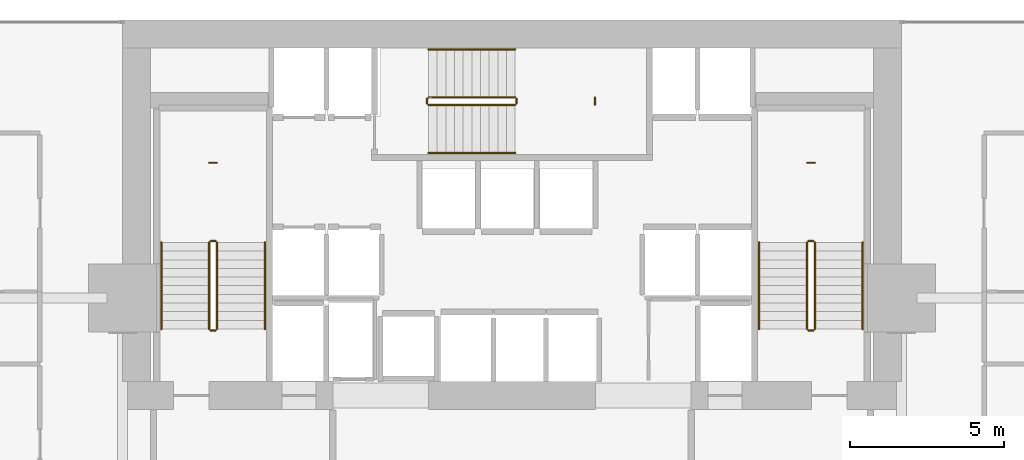
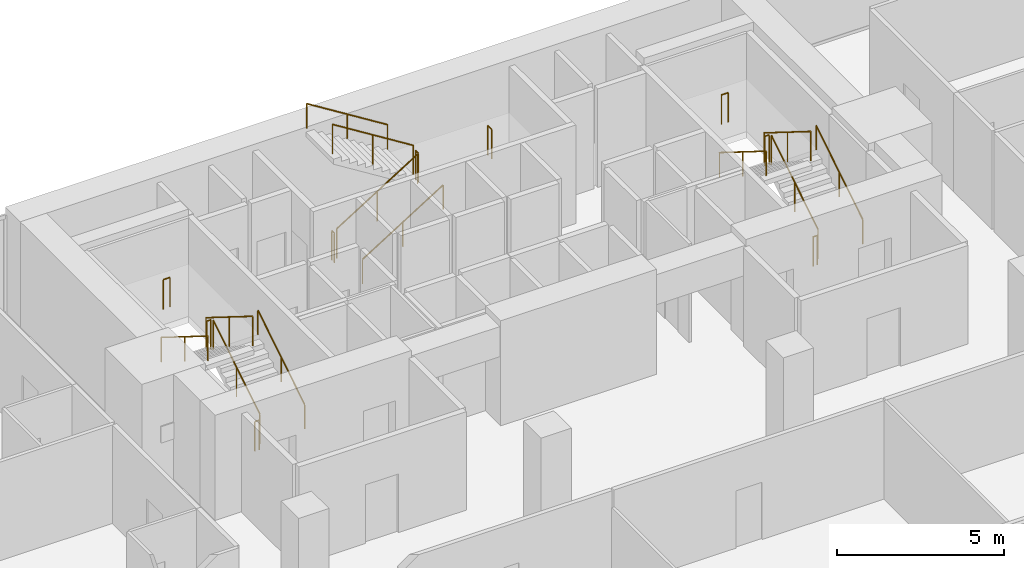
# One storey, part 40 of 40: 21 railings.
"""IFC4 building model written with IfcOpenShell, lengths in metres."""

from ifc_helpers import new_model, si_unit, direction, frame, origin, origin_2d, place, context, subcontext, project, spatial, circle, extrude, material, type_object, element, save


model = new_model("IFC4")

# Units and contexts
model_context = context("Model", 3, precision=1e-05, world=origin(), true_north=direction((0.0, 1.0)))
body_context = subcontext(model_context, "Body", "Model", "MODEL_VIEW")
ifc_project = project(units=[si_unit("LENGTHUNIT", "METRE"), si_unit("AREAUNIT", "SQUARE_METRE"), si_unit("VOLUMEUNIT", "CUBIC_METRE"), si_unit("PLANEANGLEUNIT", "RADIAN"), si_unit("MASSUNIT", "GRAM", prefix="KILO")], contexts=[model_context])

# Site, building, storey
site_placement = place(None, origin())
site = spatial("IfcSite", under=ifc_project, at=site_placement, CompositionType="ELEMENT")
building_placement = place(site_placement, origin())
building = spatial("IfcBuilding", under=site, at=building_placement, Name="Maruvema Waterfront Hotel and Observation Tower", CompositionType="ELEMENT")
storey_placement = place(building_placement, frame((0.0, 0.0, 103.949951171875)))
storey = spatial("IfcBuildingStorey", under=building, at=storey_placement, Name="L25", CompositionType="ELEMENT", Elevation=103.949951171875)

# Railings
ifc_material_1 = material(Name="Brushed stainless steel Grade 316", Category="steel")
railing_type_1 = type_object("IfcRailingType", Name="Ramp Continuous Wall Handrail 920 mm", PredefinedType="HANDRAIL", material=ifc_material_1)
railing_1_placement = place(storey_placement, frame((29.800048828125, 44.0, 0.175048828125)))
element("IfcRailing", 1, at=railing_1_placement, inside=storey, type_object=railing_type_1, Name="L25 ST-01 stair handrail 1", PredefinedType="HANDRAIL", context=body_context, shape_type="SweptSolid", body=[
    extrude(circle(Radius=0.02392578125, at=origin_2d()), frame((0.0, 0.0, 0.89599609375), z_axis=(0.0, 0.848002457836, 0.529992293815), x_axis=(-1.0, 0.0, 0.0)), (0.0, 0.0, 1.0), 3.302001953125),
    extrude(circle(Radius=0.02099609375, at=origin_2d()), origin(), (0.0, 0.0, 1.0), 0.871826171875),
    extrude(circle(Radius=0.02099609375, at=origin_2d()), frame((0.0, 1.39990234375, 0.875)), (0.0, 0.0, 1.0), 0.871826171875),
    extrude(circle(Radius=0.02099609375, at=origin_2d()), frame((0.0, 2.800048828125, 1.75)), (0.0, 0.0, 1.0), 0.871826171875),
])
railing_2_placement = place(storey_placement, frame((26.449951171875, 46.800048828125, 2.10009765625)))
element("IfcRailing", 2, at=railing_2_placement, inside=storey, type_object=railing_type_1, Name="L25 ST-01 stair handrail 2", PredefinedType="HANDRAIL", context=body_context, shape_type="SweptSolid", body=[
    extrude(circle(Radius=0.02392578125, at=origin_2d()), frame((0.0, 0.0, 0.89599609375), z_axis=(0.0, -0.848002457836, 0.529992293815), x_axis=(1.0, 0.0, 0.0)), (0.0, 0.0, 1.0), 3.302001953125),
    extrude(circle(Radius=0.02099609375, at=origin_2d()), origin(), (0.0, 0.0, 1.0), 0.871826171875),
    extrude(circle(Radius=0.02099609375, at=origin_2d()), frame((0.0, -1.39990234375, 0.875)), (0.0, 0.0, 1.0), 0.871826171875),
    extrude(circle(Radius=0.02099609375, at=origin_2d()), frame((0.0, -2.800048828125, 1.75)), (0.0, 0.0, 1.0), 0.871826171875),
])
railing_3_placement = place(storey_placement, frame((35.10009765625, 49.699951171875, 0.175048828125)))
element("IfcRailing", 3, at=railing_3_placement, inside=storey, type_object=railing_type_1, Name="L25 ST-02 stair handrail 1", PredefinedType="HANDRAIL", context=body_context, shape_type="SweptSolid", body=[
    extrude(circle(Radius=0.02392578125, at=origin_2d()), frame((0.0, 0.0, 0.89599609375), z_axis=(0.847981687118, 0.0, 0.530025526095), x_axis=(0.0, 1.0, 0.0)), (0.0, 0.0, 1.0), 3.3017578125),
    extrude(circle(Radius=0.02099609375, at=origin_2d()), origin(), (0.0, 0.0, 1.0), 0.871826171875),
    extrude(circle(Radius=0.02099609375, at=origin_2d()), frame((1.39990234375, 0.0, 0.875)), (0.0, 0.0, 1.0), 0.871826171875),
    extrude(circle(Radius=0.02099609375, at=origin_2d()), frame((2.7998046875, 0.0, 1.75)), (0.0, 0.0, 1.0), 0.871826171875),
])
railing_4_placement = place(storey_placement, frame((37.89990234375, 53.050048828125, 2.10009765625)))
element("IfcRailing", 4, at=railing_4_placement, inside=storey, type_object=railing_type_1, Name="L25 ST-02 stair handrail 2", PredefinedType="HANDRAIL", context=body_context, shape_type="SweptSolid", body=[
    extrude(circle(Radius=0.02392578125, at=origin_2d()), frame((0.0, 0.0, 0.89599609375), z_axis=(-0.847981687118, 0.0, 0.530025526095), x_axis=(0.0, -1.0, 0.0)), (0.0, 0.0, 1.0), 3.3017578125),
    extrude(circle(Radius=0.02099609375, at=origin_2d()), origin(), (0.0, 0.0, 1.0), 0.871826171875),
    extrude(circle(Radius=0.02099609375, at=origin_2d()), frame((-1.39990234375, 0.0, 0.875)), (0.0, 0.0, 1.0), 0.871826171875),
    extrude(circle(Radius=0.02099609375, at=origin_2d()), frame((-2.7998046875, 0.0, 1.75)), (0.0, 0.0, 1.0), 0.871826171875),
])
railing_5_placement = place(storey_placement, frame((49.14990234375, 44.0, 0.175048828125)))
element("IfcRailing", 5, at=railing_5_placement, inside=storey, type_object=railing_type_1, Name="L25 ST-03 stair handrail 1", PredefinedType="HANDRAIL", context=body_context, shape_type="SweptSolid", body=[
    extrude(circle(Radius=0.02392578125, at=origin_2d()), frame((0.0, 0.0, 0.89599609375), z_axis=(0.0, 0.848002457836, 0.529992293815), x_axis=(-1.0, 0.0, 0.0)), (0.0, 0.0, 1.0), 3.302001953125),
    extrude(circle(Radius=0.02099609375, at=origin_2d()), origin(), (0.0, 0.0, 1.0), 0.871826171875),
    extrude(circle(Radius=0.02099609375, at=origin_2d()), frame((0.0, 1.39990234375, 0.875)), (0.0, 0.0, 1.0), 0.871826171875),
    extrude(circle(Radius=0.02099609375, at=origin_2d()), frame((0.0, 2.800048828125, 1.75)), (0.0, 0.0, 1.0), 0.871826171875),
])
railing_6_placement = place(storey_placement, frame((45.800048828125, 46.800048828125, 2.10009765625)))
element("IfcRailing", 6, at=railing_6_placement, inside=storey, type_object=railing_type_1, Name="L25 ST-03 stair handrail 2", PredefinedType="HANDRAIL", context=body_context, shape_type="SweptSolid", body=[
    extrude(circle(Radius=0.02392578125, at=origin_2d()), frame((0.0, 0.0, 0.89599609375), z_axis=(0.0, -0.848002457836, 0.529992293815), x_axis=(1.0, 0.0, 0.0)), (0.0, 0.0, 1.0), 3.302001953125),
    extrude(circle(Radius=0.02099609375, at=origin_2d()), origin(), (0.0, 0.0, 1.0), 0.871826171875),
    extrude(circle(Radius=0.02099609375, at=origin_2d()), frame((0.0, -1.39990234375, 0.875)), (0.0, 0.0, 1.0), 0.871826171875),
    extrude(circle(Radius=0.02099609375, at=origin_2d()), frame((0.0, -2.800048828125, 1.75)), (0.0, 0.0, 1.0), 0.871826171875),
])
ifc_material_2 = material(Name="Brushed stainless steel Grade 316", Category="steel")
railing_type_2 = type_object("IfcRailingType", Name="Ramp and Terrace Guard Balustrade 1100 mm", PredefinedType="BALUSTRADE", material=ifc_material_2)
railing_7_placement = place(storey_placement, frame((28.25, 44.0, 0.175048828125)))
element("IfcRailing", 7, at=railing_7_placement, inside=storey, type_object=railing_type_2, Name="L25 ST-01 stair guard 1", PredefinedType="BALUSTRADE", context=body_context, shape_type="SweptSolid", body=[
    extrude(circle(Radius=0.02392578125, at=origin_2d()), frame((0.0, 0.0, 1.076171875), z_axis=(0.0, 0.848002457836, 0.529992293815), x_axis=(-1.0, 0.0, 0.0)), (0.0, 0.0, 1.0), 3.302001953125),
    extrude(circle(Radius=0.02099609375, at=origin_2d()), origin(), (0.0, 0.0, 1.0), 1.052001953125),
    extrude(circle(Radius=0.02099609375, at=origin_2d()), frame((0.0, 1.39990234375, 0.875)), (0.0, 0.0, 1.0), 1.052001953125),
    extrude(circle(Radius=0.02099609375, at=origin_2d()), frame((0.0, 2.800048828125, 1.75)), (0.0, 0.0, 1.0), 1.052001953125),
])
railing_8_placement = place(storey_placement, frame((28.199951171875, 46.85009765625, 1.925048828125)))
element("IfcRailing", 8, at=railing_8_placement, inside=storey, type_object=railing_type_2, Name="L25 ST-01 stair guard 2", PredefinedType="BALUSTRADE", context=body_context, shape_type="SweptSolid", body=[
    extrude(circle(Radius=0.02392578125, at=origin_2d()), frame((0.0, 0.0, 1.076171875), z_axis=(-1.0, 0.0, 0.0), x_axis=(0.0, -1.0, 0.0)), (0.0, 0.0, 1.0), 0.14990234375),
    extrude(circle(Radius=0.02099609375, at=origin_2d()), origin(), (0.0, 0.0, 1.0), 1.052001953125),
    extrude(circle(Radius=0.02099609375, at=origin_2d()), frame((-0.14990234375, 0.0, 0.0)), (0.0, 0.0, 1.0), 1.052001953125),
])
railing_9_placement = place(storey_placement, frame((28.0, 46.800048828125, 2.10009765625)))
element("IfcRailing", 9, at=railing_9_placement, inside=storey, type_object=railing_type_2, Name="L25 ST-01 stair guard 3", PredefinedType="BALUSTRADE", context=body_context, shape_type="SweptSolid", body=[
    extrude(circle(Radius=0.02392578125, at=origin_2d()), frame((0.0, 0.0, 1.076171875), z_axis=(0.0, -0.848002457836, 0.529992293815), x_axis=(1.0, 0.0, 0.0)), (0.0, 0.0, 1.0), 3.302001953125),
    extrude(circle(Radius=0.02099609375, at=origin_2d()), origin(), (0.0, 0.0, 1.0), 1.052001953125),
    extrude(circle(Radius=0.02099609375, at=origin_2d()), frame((0.0, -1.39990234375, 0.875)), (0.0, 0.0, 1.0), 1.052001953125),
    extrude(circle(Radius=0.02099609375, at=origin_2d()), frame((0.0, -2.800048828125, 1.75)), (0.0, 0.0, 1.0), 1.052001953125),
])
railing_10_placement = place(storey_placement, frame((28.199951171875, 43.949951171875, 0.0)))
element("IfcRailing", 10, at=railing_10_placement, inside=storey, type_object=railing_type_2, Name="L25 ST-01 stair guard 4", PredefinedType="BALUSTRADE", context=body_context, shape_type="SweptSolid", body=[
    extrude(circle(Radius=0.02392578125, at=origin_2d()), frame((0.0, 0.0, 1.076171875), z_axis=(-1.0, 0.0, 0.0), x_axis=(0.0, -1.0, 0.0)), (0.0, 0.0, 1.0), 0.14990234375),
    extrude(circle(Radius=0.02099609375, at=origin_2d()), origin(), (0.0, 0.0, 1.0), 1.052001953125),
    extrude(circle(Radius=0.02099609375, at=origin_2d()), frame((-0.14990234375, 0.0, 0.0)), (0.0, 0.0, 1.0), 1.052001953125),
])
railing_11_placement = place(storey_placement, frame((28.239990234375, 49.3798828125, 1.925048828125)))
element("IfcRailing", 11, at=railing_11_placement, inside=storey, type_object=railing_type_2, Name="L25 ST-01 Half-Landing Slot Guard", PredefinedType="BALUSTRADE", context=body_context, shape_type="SweptSolid", body=[
    extrude(circle(Radius=0.02392578125, at=origin_2d()), frame((0.0, 0.0, 1.076171875), z_axis=(-1.0, 0.0, 0.0), x_axis=(0.0, -1.0, 0.0)), (0.0, 0.0, 1.0), 0.22998046875),
    extrude(circle(Radius=0.02099609375, at=origin_2d()), origin(), (0.0, 0.0, 1.0), 1.052001953125),
    extrude(circle(Radius=0.02099609375, at=origin_2d()), frame((-0.22998046875, 0.0, 0.0)), (0.0, 0.0, 1.0), 1.052001953125),
])
railing_12_placement = place(storey_placement, frame((35.10009765625, 51.25, 0.175048828125)))
element("IfcRailing", 12, at=railing_12_placement, inside=storey, type_object=railing_type_2, Name="L25 ST-02 stair guard 1", PredefinedType="BALUSTRADE", context=body_context, shape_type="SweptSolid", body=[
    extrude(circle(Radius=0.02392578125, at=origin_2d()), frame((0.0, 0.0, 1.076171875), z_axis=(0.847981687118, 0.0, 0.530025526095), x_axis=(0.0, 1.0, 0.0)), (0.0, 0.0, 1.0), 3.3017578125),
    extrude(circle(Radius=0.02099609375, at=origin_2d()), origin(), (0.0, 0.0, 1.0), 1.052001953125),
    extrude(circle(Radius=0.02099609375, at=origin_2d()), frame((1.39990234375, 0.0, 0.875)), (0.0, 0.0, 1.0), 1.052001953125),
    extrude(circle(Radius=0.02099609375, at=origin_2d()), frame((2.7998046875, 0.0, 1.75)), (0.0, 0.0, 1.0), 1.052001953125),
])
railing_13_placement = place(storey_placement, frame((37.949951171875, 51.300048828125, 1.925048828125)))
element("IfcRailing", 13, at=railing_13_placement, inside=storey, type_object=railing_type_2, Name="L25 ST-02 stair guard 2", PredefinedType="BALUSTRADE", context=body_context, shape_type="SweptSolid", body=[
    extrude(circle(Radius=0.02392578125, at=origin_2d()), frame((0.0, 0.0, 1.076171875), z_axis=(0.0, 1.0, 0.0), x_axis=(-1.0, 0.0, 0.0)), (0.0, 0.0, 1.0), 0.14990234375),
    extrude(circle(Radius=0.02099609375, at=origin_2d()), origin(), (0.0, 0.0, 1.0), 1.052001953125),
    extrude(circle(Radius=0.02099609375, at=origin_2d()), frame((0.0, 0.14990234375, 0.0)), (0.0, 0.0, 1.0), 1.052001953125),
])
railing_14_placement = place(storey_placement, frame((37.89990234375, 51.5, 2.10009765625)))
element("IfcRailing", 14, at=railing_14_placement, inside=storey, type_object=railing_type_2, Name="L25 ST-02 stair guard 3", PredefinedType="BALUSTRADE", context=body_context, shape_type="SweptSolid", body=[
    extrude(circle(Radius=0.02392578125, at=origin_2d()), frame((0.0, 0.0, 1.076171875), z_axis=(-0.847981687118, 0.0, 0.530025526095), x_axis=(0.0, -1.0, 0.0)), (0.0, 0.0, 1.0), 3.3017578125),
    extrude(circle(Radius=0.02099609375, at=origin_2d()), origin(), (0.0, 0.0, 1.0), 1.052001953125),
    extrude(circle(Radius=0.02099609375, at=origin_2d()), frame((-1.39990234375, 0.0, 0.875)), (0.0, 0.0, 1.0), 1.052001953125),
    extrude(circle(Radius=0.02099609375, at=origin_2d()), frame((-2.7998046875, 0.0, 1.75)), (0.0, 0.0, 1.0), 1.052001953125),
])
railing_15_placement = place(storey_placement, frame((35.050048828125, 51.300048828125, 0.0)))
element("IfcRailing", 15, at=railing_15_placement, inside=storey, type_object=railing_type_2, Name="L25 ST-02 stair guard 4", PredefinedType="BALUSTRADE", context=body_context, shape_type="SweptSolid", body=[
    extrude(circle(Radius=0.02392578125, at=origin_2d()), frame((0.0, 0.0, 1.076171875), z_axis=(0.0, 1.0, 0.0), x_axis=(-1.0, 0.0, 0.0)), (0.0, 0.0, 1.0), 0.14990234375),
    extrude(circle(Radius=0.02099609375, at=origin_2d()), origin(), (0.0, 0.0, 1.0), 1.052001953125),
    extrude(circle(Radius=0.02099609375, at=origin_2d()), frame((0.0, 0.14990234375, 0.0)), (0.0, 0.0, 1.0), 1.052001953125),
])
railing_16_placement = place(storey_placement, frame((40.47998046875, 51.260009765625, 1.925048828125)))
element("IfcRailing", 16, at=railing_16_placement, inside=storey, type_object=railing_type_2, Name="L25 ST-02 Half-Landing Slot Guard", PredefinedType="BALUSTRADE", context=body_context, shape_type="SweptSolid", body=[
    extrude(circle(Radius=0.02392578125, at=origin_2d()), frame((0.0, 0.0, 1.076171875), z_axis=(0.0, 1.0, 0.0), x_axis=(-1.0, 0.0, 0.0)), (0.0, 0.0, 1.0), 0.22998046875),
    extrude(circle(Radius=0.02099609375, at=origin_2d()), origin(), (0.0, 0.0, 1.0), 1.052001953125),
    extrude(circle(Radius=0.02099609375, at=origin_2d()), frame((0.0, 0.22998046875, 0.0)), (0.0, 0.0, 1.0), 1.052001953125),
])
railing_17_placement = place(storey_placement, frame((47.60009765625, 44.0, 0.175048828125)))
element("IfcRailing", 17, at=railing_17_placement, inside=storey, type_object=railing_type_2, Name="L25 ST-03 stair guard 1", PredefinedType="BALUSTRADE", context=body_context, shape_type="SweptSolid", body=[
    extrude(circle(Radius=0.02392578125, at=origin_2d()), frame((0.0, 0.0, 1.076171875), z_axis=(0.0, 0.848002457836, 0.529992293815), x_axis=(-1.0, 0.0, 0.0)), (0.0, 0.0, 1.0), 3.302001953125),
    extrude(circle(Radius=0.02099609375, at=origin_2d()), origin(), (0.0, 0.0, 1.0), 1.052001953125),
    extrude(circle(Radius=0.02099609375, at=origin_2d()), frame((0.0, 1.39990234375, 0.875)), (0.0, 0.0, 1.0), 1.052001953125),
    extrude(circle(Radius=0.02099609375, at=origin_2d()), frame((0.0, 2.800048828125, 1.75)), (0.0, 0.0, 1.0), 1.052001953125),
])
railing_18_placement = place(storey_placement, frame((47.550048828125, 46.85009765625, 1.925048828125)))
element("IfcRailing", 18, at=railing_18_placement, inside=storey, type_object=railing_type_2, Name="L25 ST-03 stair guard 2", PredefinedType="BALUSTRADE", context=body_context, shape_type="SweptSolid", body=[
    extrude(circle(Radius=0.02392578125, at=origin_2d()), frame((0.0, 0.0, 1.076171875), z_axis=(-1.0, 0.0, 0.0), x_axis=(0.0, -1.0, 0.0)), (0.0, 0.0, 1.0), 0.150146484375),
    extrude(circle(Radius=0.02099609375, at=origin_2d()), origin(), (0.0, 0.0, 1.0), 1.052001953125),
    extrude(circle(Radius=0.02099609375, at=origin_2d()), frame((-0.150146484375, 0.0, 0.0)), (0.0, 0.0, 1.0), 1.052001953125),
])
railing_19_placement = place(storey_placement, frame((47.35009765625, 46.800048828125, 2.10009765625)))
element("IfcRailing", 19, at=railing_19_placement, inside=storey, type_object=railing_type_2, Name="L25 ST-03 stair guard 3", PredefinedType="BALUSTRADE", context=body_context, shape_type="SweptSolid", body=[
    extrude(circle(Radius=0.02392578125, at=origin_2d()), frame((0.0, 0.0, 1.076171875), z_axis=(0.0, -0.848002457836, 0.529992293815), x_axis=(1.0, 0.0, 0.0)), (0.0, 0.0, 1.0), 3.302001953125),
    extrude(circle(Radius=0.02099609375, at=origin_2d()), origin(), (0.0, 0.0, 1.0), 1.052001953125),
    extrude(circle(Radius=0.02099609375, at=origin_2d()), frame((0.0, -1.39990234375, 0.875)), (0.0, 0.0, 1.0), 1.052001953125),
    extrude(circle(Radius=0.02099609375, at=origin_2d()), frame((0.0, -2.800048828125, 1.75)), (0.0, 0.0, 1.0), 1.052001953125),
])
railing_20_placement = place(storey_placement, frame((47.550048828125, 43.949951171875, 0.0)))
element("IfcRailing", 20, at=railing_20_placement, inside=storey, type_object=railing_type_2, Name="L25 ST-03 stair guard 4", PredefinedType="BALUSTRADE", context=body_context, shape_type="SweptSolid", body=[
    extrude(circle(Radius=0.02392578125, at=origin_2d()), frame((0.0, 0.0, 1.076171875), z_axis=(-1.0, 0.0, 0.0), x_axis=(0.0, -1.0, 0.0)), (0.0, 0.0, 1.0), 0.150146484375),
    extrude(circle(Radius=0.02099609375, at=origin_2d()), origin(), (0.0, 0.0, 1.0), 1.052001953125),
    extrude(circle(Radius=0.02099609375, at=origin_2d()), frame((-0.150146484375, 0.0, 0.0)), (0.0, 0.0, 1.0), 1.052001953125),
])
railing_21_placement = place(storey_placement, frame((47.590087890625, 49.3798828125, 1.925048828125)))
element("IfcRailing", 21, at=railing_21_placement, inside=storey, type_object=railing_type_2, Name="L25 ST-03 Half-Landing Slot Guard", PredefinedType="BALUSTRADE", context=body_context, shape_type="SweptSolid", body=[
    extrude(circle(Radius=0.02392578125, at=origin_2d()), frame((0.0, 0.0, 1.076171875), z_axis=(-1.0, 0.0, 0.0), x_axis=(0.0, -1.0, 0.0)), (0.0, 0.0, 1.0), 0.22998046875),
    extrude(circle(Radius=0.02099609375, at=origin_2d()), origin(), (0.0, 0.0, 1.0), 1.052001953125),
    extrude(circle(Radius=0.02099609375, at=origin_2d()), frame((-0.22998046875, 0.0, 0.0)), (0.0, 0.0, 1.0), 1.052001953125),
])

save(model, "model.ifc")
